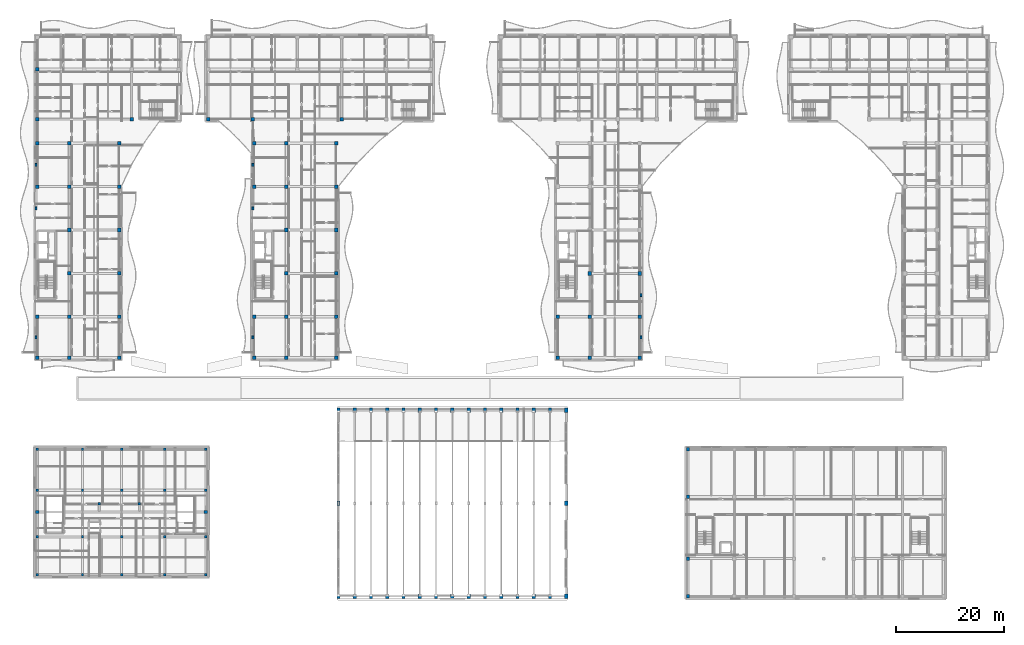
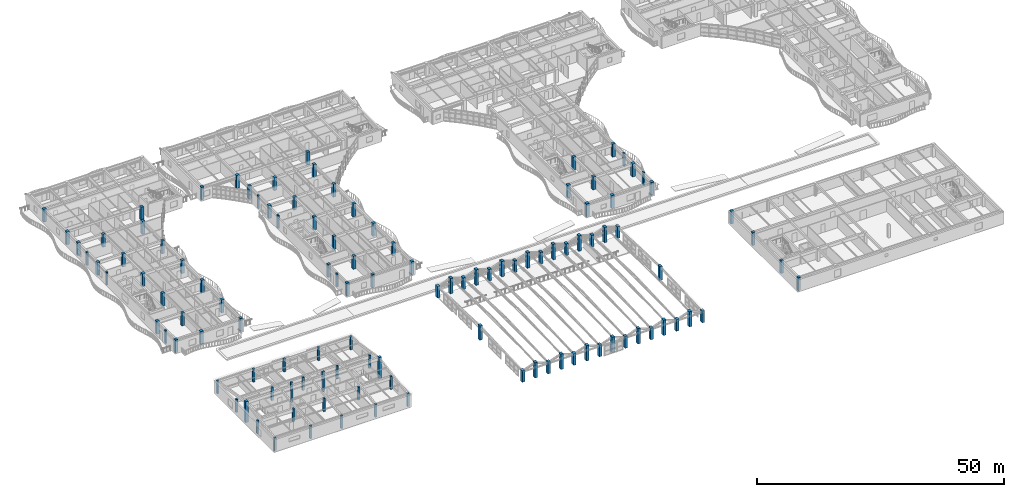
# One storey, part 1 of 128: 114 columns.
"""IFC4 building model written with IfcOpenShell, lengths in metres."""

from ifc_helpers import new_model, si_unit, direction, frame, origin, origin_2d, place, context, subcontext, project, spatial, rectangle, extrude, material, material_profile, profile_set, type_object, element, save


model = new_model("IFC4")

# Units and contexts
model_context = context("Model", 3, precision=1e-05, world=origin(), true_north=direction((0.0, 1.0)))
body_context = subcontext(model_context, "Body", "Model", "MODEL_VIEW")
ifc_project = project(units=[si_unit("LENGTHUNIT", "METRE"), si_unit("AREAUNIT", "SQUARE_METRE"), si_unit("VOLUMEUNIT", "CUBIC_METRE"), si_unit("PLANEANGLEUNIT", "RADIAN"), si_unit("MASSUNIT", "GRAM", prefix="KILO")], contexts=[model_context])

# Site, building, storey
site_placement = place(None, origin())
site = spatial("IfcSite", under=ifc_project, at=site_placement, CompositionType="ELEMENT")
building_placement = place(site_placement, origin())
building = spatial("IfcBuilding", under=site, at=building_placement, Name="Keldmere Railside Commons", CompositionType="ELEMENT")
storey_placement = place(building_placement, frame((0.0, 0.0, 4.159912109375)))
storey = spatial("IfcBuildingStorey", under=building, at=storey_placement, Name="L01", CompositionType="ELEMENT", Elevation=4.159912109375)

# Columns
ifc_material_1 = material(Name="Concrete H-40 (C40/50)", Category="concrete")
ifc_material_profile_1 = material_profile(ifc_material_1, rectangle(XDim=0.60009765625, YDim=0.800048828125, at=origin_2d()), Name="RC-600x800")
ifc_profile_set_1 = profile_set([ifc_material_profile_1], Name="Concrete H-40 (C40/50)")
column_type_1 = type_object("IfcColumnType", Name="Community Hall Pier Column 600x800", PredefinedType="COLUMN", material=ifc_profile_set_1)
column_1_placement = place(storey_placement, frame((64.0, 12.449951171875, 0.0), z_axis=(0.0, 0.0, 1.0), x_axis=(1.0, 0.0, 0.0)))
element("IfcColumn", 1, at=column_1_placement, inside=storey, type_object=column_type_1, Name="C-HALL COL-L01-0626", PredefinedType="COLUMN", context=body_context, shape_type="SweptSolid", body=[
    extrude(rectangle(XDim=0.60009765625, YDim=0.800048828125, at=origin_2d()), origin(), (0.0, 0.0, 1.0), 2.89013671875),
])
column_2_placement = place(storey_placement, frame((64.0, 29.60009765625, 0.0), z_axis=(0.0, 0.0, 1.0), x_axis=(1.0, 0.0, 0.0)))
element("IfcColumn", 2, at=column_2_placement, inside=storey, type_object=column_type_1, Name="C-HALL COL-L01-0629", PredefinedType="COLUMN", context=body_context, shape_type="SweptSolid", body=[
    extrude(rectangle(XDim=0.60009765625, YDim=0.800048828125, at=origin_2d()), origin(), (0.0, 0.0, 1.0), 3.489990234375),
])
column_3_placement = place(storey_placement, frame((64.0, 46.75, 0.0), z_axis=(0.0, 0.0, 1.0), x_axis=(1.0, 0.0, 0.0)))
element("IfcColumn", 3, at=column_3_placement, inside=storey, type_object=column_type_1, Name="C-HALL COL-L01-0632", PredefinedType="COLUMN", context=body_context, shape_type="SweptSolid", body=[
    extrude(rectangle(XDim=0.60009765625, YDim=0.800048828125, at=origin_2d()), origin(), (0.0, 0.0, 1.0), 2.89013671875),
])
for number, where, z_axis, x_axis, name in (
    (4, (67.0, 12.449951171875, 0.0), (0.0, 0.0, 1.0), (1.0, 0.0, 0.0), "C-HALL COL-L01-0672"),
    (5, (67.0, 46.75, 0.0), (0.0, 0.0, 1.0), (1.0, 0.0, 0.0), "C-HALL COL-L01-0675"),
):
    element("IfcColumn", number, at=place(storey_placement, frame(where, z_axis=z_axis, x_axis=x_axis)), inside=storey, type_object=column_type_1, Name=name, PredefinedType="COLUMN", context=body_context, shape_type="SweptSolid", body=[
        extrude(rectangle(XDim=0.60009765625, YDim=0.800048828125, at=origin_2d()), origin(), (0.0, 0.0, 1.0), 3.800048828125),
    ])
for number, where, z_axis, x_axis, name in (
    (6, (70.0, 12.449951171875, 0.0), (0.0, 0.0, 1.0), (1.0, 0.0, 0.0), "C-HALL COL-L01-0680"),
    (7, (70.0, 46.75, 0.0), (0.0, 0.0, 1.0), (1.0, 0.0, 0.0), "C-HALL COL-L01-0683"),
):
    element("IfcColumn", number, at=place(storey_placement, frame(where, z_axis=z_axis, x_axis=x_axis)), inside=storey, type_object=column_type_1, Name=name, PredefinedType="COLUMN", context=body_context, shape_type="SweptSolid", body=[
        extrude(rectangle(XDim=0.60009765625, YDim=0.800048828125, at=origin_2d()), origin(), (0.0, 0.0, 1.0), 2.89013671875),
    ])
for number, where, z_axis, x_axis, name in (
    (8, (73.0, 12.449951171875, 0.0), (0.0, 0.0, 1.0), (1.0, 0.0, 0.0), "C-HALL COL-L01-0721"),
    (9, (73.0, 46.75, 0.0), (0.0, 0.0, 1.0), (1.0, 0.0, 0.0), "C-HALL COL-L01-0724"),
):
    element("IfcColumn", number, at=place(storey_placement, frame(where, z_axis=z_axis, x_axis=x_axis)), inside=storey, type_object=column_type_1, Name=name, PredefinedType="COLUMN", context=body_context, shape_type="SweptSolid", body=[
        extrude(rectangle(XDim=0.60009765625, YDim=0.800048828125, at=origin_2d()), origin(), (0.0, 0.0, 1.0), 3.800048828125),
    ])
for number, where, z_axis, x_axis, name in (
    (10, (76.0, 12.449951171875, 0.0), (0.0, 0.0, 1.0), (1.0, 0.0, 0.0), "C-HALL COL-L01-0731"),
    (11, (76.0, 46.75, 0.0), (0.0, 0.0, 1.0), (1.0, 0.0, 0.0), "C-HALL COL-L01-0736"),
):
    element("IfcColumn", number, at=place(storey_placement, frame(where, z_axis=z_axis, x_axis=x_axis)), inside=storey, type_object=column_type_1, Name=name, PredefinedType="COLUMN", context=body_context, shape_type="SweptSolid", body=[
        extrude(rectangle(XDim=0.60009765625, YDim=0.800048828125, at=origin_2d()), origin(), (0.0, 0.0, 1.0), 2.89013671875),
    ])
for number, where, z_axis, x_axis, name in (
    (12, (79.0, 12.449951171875, 0.0), (0.0, 0.0, 1.0), (1.0, 0.0, 0.0), "C-HALL COL-L01-0745"),
    (13, (79.0, 46.75, 0.0), (0.0, 0.0, 1.0), (1.0, 0.0, 0.0), "C-HALL COL-L01-0748"),
):
    element("IfcColumn", number, at=place(storey_placement, frame(where, z_axis=z_axis, x_axis=x_axis)), inside=storey, type_object=column_type_1, Name=name, PredefinedType="COLUMN", context=body_context, shape_type="SweptSolid", body=[
        extrude(rectangle(XDim=0.60009765625, YDim=0.800048828125, at=origin_2d()), origin(), (0.0, 0.0, 1.0), 3.800048828125),
    ])
for number, where, z_axis, x_axis, name in (
    (14, (82.0, 12.449951171875, 0.0), (0.0, 0.0, 1.0), (1.0, 0.0, 0.0), "C-HALL COL-L01-0770"),
    (15, (82.0, 46.75, 0.0), (0.0, 0.0, 1.0), (1.0, 0.0, 0.0), "C-HALL COL-L01-0773"),
):
    element("IfcColumn", number, at=place(storey_placement, frame(where, z_axis=z_axis, x_axis=x_axis)), inside=storey, type_object=column_type_1, Name=name, PredefinedType="COLUMN", context=body_context, shape_type="SweptSolid", body=[
        extrude(rectangle(XDim=0.60009765625, YDim=0.800048828125, at=origin_2d()), origin(), (0.0, 0.0, 1.0), 2.89013671875),
    ])
for number, where, z_axis, x_axis, name in (
    (16, (85.0, 12.449951171875, 0.0), (0.0, 0.0, 1.0), (1.0, 0.0, 0.0), "C-HALL COL-L01-0780"),
    (17, (85.0, 46.75, 0.0), (0.0, 0.0, 1.0), (1.0, 0.0, 0.0), "C-HALL COL-L01-0786"),
):
    element("IfcColumn", number, at=place(storey_placement, frame(where, z_axis=z_axis, x_axis=x_axis)), inside=storey, type_object=column_type_1, Name=name, PredefinedType="COLUMN", context=body_context, shape_type="SweptSolid", body=[
        extrude(rectangle(XDim=0.60009765625, YDim=0.800048828125, at=origin_2d()), origin(), (0.0, 0.0, 1.0), 3.800048828125),
    ])
for number, where, z_axis, x_axis, name in (
    (18, (88.0, 12.449951171875, 0.0), (0.0, 0.0, 1.0), (1.0, 0.0, 0.0), "C-HALL COL-L01-0789"),
    (19, (88.0, 46.75, 0.0), (0.0, 0.0, 1.0), (1.0, 0.0, 0.0), "C-HALL COL-L01-0792"),
):
    element("IfcColumn", number, at=place(storey_placement, frame(where, z_axis=z_axis, x_axis=x_axis)), inside=storey, type_object=column_type_1, Name=name, PredefinedType="COLUMN", context=body_context, shape_type="SweptSolid", body=[
        extrude(rectangle(XDim=0.60009765625, YDim=0.800048828125, at=origin_2d()), origin(), (0.0, 0.0, 1.0), 2.89013671875),
    ])
for number, where, z_axis, x_axis, name in (
    (20, (91.0, 12.449951171875, 0.0), (0.0, 0.0, 1.0), (1.0, 0.0, 0.0), "C-HALL COL-L01-0803"),
    (21, (91.0, 46.75, 0.0), (0.0, 0.0, 1.0), (1.0, 0.0, 0.0), "C-HALL COL-L01-0806"),
):
    element("IfcColumn", number, at=place(storey_placement, frame(where, z_axis=z_axis, x_axis=x_axis)), inside=storey, type_object=column_type_1, Name=name, PredefinedType="COLUMN", context=body_context, shape_type="SweptSolid", body=[
        extrude(rectangle(XDim=0.60009765625, YDim=0.800048828125, at=origin_2d()), origin(), (0.0, 0.0, 1.0), 3.800048828125),
    ])
for number, where, z_axis, x_axis, name in (
    (22, (94.0, 12.449951171875, 0.0), (0.0, 0.0, 1.0), (1.0, 0.0, 0.0), "C-HALL COL-L01-0847"),
    (23, (94.0, 46.75, 0.0), (0.0, 0.0, 1.0), (1.0, 0.0, 0.0), "C-HALL COL-L01-0852"),
):
    element("IfcColumn", number, at=place(storey_placement, frame(where, z_axis=z_axis, x_axis=x_axis)), inside=storey, type_object=column_type_1, Name=name, PredefinedType="COLUMN", context=body_context, shape_type="SweptSolid", body=[
        extrude(rectangle(XDim=0.60009765625, YDim=0.800048828125, at=origin_2d()), origin(), (0.0, 0.0, 1.0), 2.89013671875),
    ])
for number, where, z_axis, x_axis, name in (
    (24, (97.0, 12.449951171875, 0.0), (0.0, 0.0, 1.0), (1.0, 0.0, 0.0), "C-HALL COL-L01-0862"),
    (25, (97.0, 46.75, 0.0), (0.0, 0.0, 1.0), (1.0, 0.0, 0.0), "C-HALL COL-L01-0865"),
):
    element("IfcColumn", number, at=place(storey_placement, frame(where, z_axis=z_axis, x_axis=x_axis)), inside=storey, type_object=column_type_1, Name=name, PredefinedType="COLUMN", context=body_context, shape_type="SweptSolid", body=[
        extrude(rectangle(XDim=0.60009765625, YDim=0.800048828125, at=origin_2d()), origin(), (0.0, 0.0, 1.0), 3.800048828125),
    ])
for number, where, z_axis, x_axis, name in (
    (26, (100.0, 12.449951171875, 0.0), (0.0, 0.0, 1.0), (1.0, 0.0, 0.0), "C-HALL COL-L01-0868"),
    (27, (100.0, 46.75, 0.0), (0.0, 0.0, 1.0), (1.0, 0.0, 0.0), "C-HALL COL-L01-0871"),
):
    element("IfcColumn", number, at=place(storey_placement, frame(where, z_axis=z_axis, x_axis=x_axis)), inside=storey, type_object=column_type_1, Name=name, PredefinedType="COLUMN", context=body_context, shape_type="SweptSolid", body=[
        extrude(rectangle(XDim=0.60009765625, YDim=0.800048828125, at=origin_2d()), origin(), (0.0, 0.0, 1.0), 2.89013671875),
    ])
for number, where, z_axis, x_axis, name in (
    (28, (103.0, 12.449951171875, 0.0), (0.0, 0.0, 1.0), (1.0, 0.0, 0.0), "C-HALL COL-L01-0916"),
    (29, (103.0, 46.75, 0.0), (0.0, 0.0, 1.0), (1.0, 0.0, 0.0), "C-HALL COL-L01-0919"),
):
    element("IfcColumn", number, at=place(storey_placement, frame(where, z_axis=z_axis, x_axis=x_axis)), inside=storey, type_object=column_type_1, Name=name, PredefinedType="COLUMN", context=body_context, shape_type="SweptSolid", body=[
        extrude(rectangle(XDim=0.60009765625, YDim=0.800048828125, at=origin_2d()), origin(), (0.0, 0.0, 1.0), 3.800048828125),
    ])
column_4_placement = place(storey_placement, frame((106.0, 12.449951171875, 0.0), z_axis=(0.0, 0.0, 1.0), x_axis=(1.0, 0.0, 0.0)))
element("IfcColumn", 30, at=column_4_placement, inside=storey, type_object=column_type_1, Name="C-HALL COL-L01-0971", PredefinedType="COLUMN", context=body_context, shape_type="SweptSolid", body=[
    extrude(rectangle(XDim=0.60009765625, YDim=0.800048828125, at=origin_2d()), origin(), (0.0, 0.0, 1.0), 2.89013671875),
])
column_5_placement = place(storey_placement, frame((106.0, 29.60009765625, 0.0), z_axis=(0.0, 0.0, 1.0), x_axis=(1.0, 0.0, 0.0)))
element("IfcColumn", 31, at=column_5_placement, inside=storey, type_object=column_type_1, Name="C-HALL COL-L01-0974", PredefinedType="COLUMN", context=body_context, shape_type="SweptSolid", body=[
    extrude(rectangle(XDim=0.60009765625, YDim=0.800048828125, at=origin_2d()), origin(), (0.0, 0.0, 1.0), 3.489990234375),
])
column_6_placement = place(storey_placement, frame((106.0, 46.75, 0.0), z_axis=(0.0, 0.0, 1.0), x_axis=(1.0, 0.0, 0.0)))
element("IfcColumn", 32, at=column_6_placement, inside=storey, type_object=column_type_1, Name="C-HALL COL-L01-0977", PredefinedType="COLUMN", context=body_context, shape_type="SweptSolid", body=[
    extrude(rectangle(XDim=0.60009765625, YDim=0.800048828125, at=origin_2d()), origin(), (0.0, 0.0, 1.0), 2.89013671875),
])
ifc_material_2 = material(Name="Architectural Precast Concrete H-35 (C35/45)", Category="concrete")
ifc_material_profile_2 = material_profile(ifc_material_2, rectangle(XDim=0.35009765625, YDim=0.550048828125, at=origin_2d()), Name="RC-350x550")
ifc_profile_set_2 = profile_set([ifc_material_profile_2], Name="Architectural Precast Concrete H-35 (C35/45)")
column_type_2 = type_object("IfcColumnType", Name="Facade Precast Pilaster Column 350x550", PredefinedType="PILASTER", material=ifc_profile_set_2)
for number, where, z_axis, x_axis, name in (
    (33, (8.219970703125, 60.199951171875, 0.0), (0.0, 0.0, 1.0), (1.0, 0.0, 0.0), "C-PIL COL-L01-0011"),
    (34, (8.219970703125, 84.0, 0.0), (0.0, 0.0, 1.0), (1.0, 0.0, 0.0), "C-PIL COL-L01-0016"),
    (35, (8.219970703125, 92.0, 0.0), (0.0, 0.0, 1.0), (1.0, 0.0, 0.0), "C-PIL COL-L01-0021"),
    (36, (48.219970703125, 60.199951171875, 0.0), (0.0, 0.0, 1.0), (1.0, 0.0, 0.0), "C-PIL COL-L01-0418"),
    (37, (48.219970703125, 84.0, 0.0), (0.0, 0.0, 1.0), (1.0, 0.0, 0.0), "C-PIL COL-L01-0423"),
    (38, (48.219970703125, 92.0, 0.0), (0.0, 0.0, 1.0), (1.0, 0.0, 0.0), "C-PIL COL-L01-0428"),
    (39, (119.780029296875, 60.199951171875, 0.0), (0.0, 0.0, 1.0), (1.0, 0.0, 0.0), "C-PIL COL-L01-1206"),
    (40, (119.780029296875, 68.0, 0.0), (0.0, 0.0, 1.0), (1.0, 0.0, 0.0), "C-PIL COL-L01-1211"),
):
    element("IfcColumn", number, at=place(storey_placement, frame(where, z_axis=z_axis, x_axis=x_axis)), inside=storey, type_object=column_type_2, Name=name, PredefinedType="PILASTER", context=body_context, shape_type="SweptSolid", body=[
        extrude(rectangle(XDim=0.35009765625, YDim=0.550048828125, at=origin_2d()), origin(), (0.0, 0.0, 1.0), 3.2001953125),
    ])
ifc_material_profile_3 = material_profile(ifc_material_1, rectangle(XDim=0.699951171875, YDim=0.699951171875, at=origin_2d()), Name="RC-700x700")
ifc_profile_set_3 = profile_set([ifc_material_profile_3], Name="Concrete H-40 (C40/50)")
column_type_3 = type_object("IfcColumnType", Name="Lower Residential RC Column 700x700", PredefinedType="COLUMN", material=ifc_profile_set_3)
for number, where, z_axis, x_axis, name in (
    (41, (104.449951171875, 56.449951171875, 0.0), (0.0, 0.0, 1.0), (1.0, 0.0, 0.0), "C-700 COL-L01-0922"),
    (42, (104.449951171875, 64.0, 0.0), (0.0, 0.0, 1.0), (1.0, 0.0, 0.0), "C-700 COL-L01-0931"),
    (43, (110.35009765625, 56.449951171875, 0.0), (0.0, 0.0, 1.0), (1.0, 0.0, 0.0), "C-700 COL-L01-1016"),
    (44, (110.35009765625, 64.0, 0.0), (0.0, 0.0, 1.0), (1.0, 0.0, 0.0), "C-700 COL-L01-1025"),
    (45, (110.35009765625, 72.0, 0.0), (0.0, 0.0, 1.0), (1.0, 0.0, 0.0), "C-700 COL-L01-1037"),
    (46, (119.550048828125, 56.449951171875, 0.0), (0.0, 0.0, 1.0), (1.0, 0.0, 0.0), "C-700 COL-L01-1133"),
    (47, (119.550048828125, 64.0, 0.0), (0.0, 0.0, 1.0), (1.0, 0.0, 0.0), "C-700 COL-L01-1142"),
    (48, (119.550048828125, 72.0, 0.0), (0.0, 0.0, 1.0), (1.0, 0.0, 0.0), "C-700 COL-L01-1154"),
):
    element("IfcColumn", number, at=place(storey_placement, frame(where, z_axis=z_axis, x_axis=x_axis)), inside=storey, type_object=column_type_3, Name=name, PredefinedType="COLUMN", context=body_context, shape_type="SweptSolid", body=[
        extrude(rectangle(XDim=0.699951171875, YDim=0.699951171875, at=origin_2d()), origin(), (0.0, 0.0, 1.0), 3.2001953125),
    ])
ifc_material_3 = material(Name="Concrete H-35 (C35/45)", Category="concrete")
ifc_material_profile_4 = material_profile(ifc_material_3, rectangle(XDim=0.60009765625, YDim=0.60009765625, at=origin_2d()), Name="RC-600x600")
ifc_profile_set_4 = profile_set([ifc_material_profile_4], Name="Concrete H-35 (C35/45)")
column_type_4 = type_object("IfcColumnType", Name="Mid-Rise RC Column 600x600", PredefinedType="COLUMN", material=ifc_profile_set_4)
for number, where, z_axis, x_axis, name in (
    (49, (8.449951171875, 28.0, 0.0), (0.0, 0.0, 1.0), (1.0, 0.0, 0.0), "C-600 COL-L01-0032"),
    (50, (39.550048828125, 28.0, 0.0), (0.0, 0.0, 1.0), (1.0, 0.0, 0.0), "C-600 COL-L01-0328"),
):
    element("IfcColumn", number, at=place(storey_placement, frame(where, z_axis=z_axis, x_axis=x_axis)), inside=storey, type_object=column_type_4, Name=name, PredefinedType="COLUMN", context=body_context, shape_type="SweptSolid", body=[
        extrude(rectangle(XDim=0.60009765625, YDim=0.60009765625, at=origin_2d()), origin(), (0.0, 0.0, 1.0), 5.190185546875),
    ])
for number, where, z_axis, x_axis, name in (
    (51, (128.449951171875, 12.449951171875, 0.0), (0.0, 0.0, 1.0), (1.0, 0.0, 0.0), "C-600 COL-L01-1278"),
    (52, (128.449951171875, 19.39990234375, 0.0), (0.0, 0.0, 1.0), (1.0, 0.0, 0.0), "C-600 COL-L01-1282"),
    (53, (128.449951171875, 30.800048828125, 0.0), (0.0, 0.0, 1.0), (1.0, 0.0, 0.0), "C-600 COL-L01-1286"),
    (54, (128.449951171875, 39.550048828125, 0.0), (0.0, 0.0, 1.0), (1.0, 0.0, 0.0), "C-600 COL-L01-1290"),
):
    element("IfcColumn", number, at=place(storey_placement, frame(where, z_axis=z_axis, x_axis=x_axis)), inside=storey, type_object=column_type_4, Name=name, PredefinedType="COLUMN", context=body_context, shape_type="SweptSolid", body=[
        extrude(rectangle(XDim=0.60009765625, YDim=0.60009765625, at=origin_2d()), origin(), (0.0, 0.0, 1.0), 3.2001953125),
    ])
ifc_material_profile_5 = material_profile(ifc_material_1, rectangle(XDim=0.64990234375, YDim=0.64990234375, at=origin_2d()), Name="RC-650x650")
ifc_profile_set_5 = profile_set([ifc_material_profile_5], Name="Concrete H-40 (C40/50)")
column_type_5 = type_object("IfcColumnType", Name="Podium RC Column 650x650", PredefinedType="COLUMN", material=ifc_profile_set_5)
for number, where, z_axis, x_axis, name in (
    (55, (8.449951171875, 56.449951171875, 0.0), (0.0, 0.0, 1.0), (1.0, 0.0, 0.0), "C-650 COL-L01-0041"),
    (56, (8.449951171875, 64.0, 0.0), (0.0, 0.0, 1.0), (1.0, 0.0, 0.0), "C-650 COL-L01-0047"),
    (57, (8.449951171875, 88.0, 0.0), (0.0, 0.0, 1.0), (1.0, 0.0, 0.0), "C-650 COL-L01-0055"),
    (58, (8.449951171875, 96.0, 0.0), (0.0, 0.0, 1.0), (1.0, 0.0, 0.0), "C-650 COL-L01-0064"),
    (59, (8.449951171875, 100.449951171875, 0.0), (0.0, 0.0, 1.0), (1.0, 0.0, 0.0), "C-650 COL-L01-0073"),
    (60, (8.449951171875, 109.64990234375, 0.0), (0.0, 0.0, 1.0), (1.0, 0.0, 0.0), "C-650 COL-L01-0083"),
    (61, (14.35009765625, 56.449951171875, 0.0), (0.0, 0.0, 1.0), (1.0, 0.0, 0.0), "C-650 COL-L01-0099"),
    (62, (14.35009765625, 64.0, 0.0), (0.0, 0.0, 1.0), (1.0, 0.0, 0.0), "C-650 COL-L01-0105"),
    (63, (14.35009765625, 72.0, 0.0), (0.0, 0.0, 1.0), (1.0, 0.0, 0.0), "C-650 COL-L01-0113"),
    (64, (14.35009765625, 80.0, 0.0), (0.0, 0.0, 1.0), (1.0, 0.0, 0.0), "C-650 COL-L01-0122"),
    (65, (14.35009765625, 88.0, 0.0), (0.0, 0.0, 1.0), (1.0, 0.0, 0.0), "C-650 COL-L01-0131"),
    (66, (14.35009765625, 96.0, 0.0), (0.0, 0.0, 1.0), (1.0, 0.0, 0.0), "C-650 COL-L01-0140"),
    (67, (23.550048828125, 56.449951171875, 0.0), (0.0, 0.0, 1.0), (1.0, 0.0, 0.0), "C-650 COL-L01-0186"),
    (68, (23.550048828125, 64.0, 0.0), (0.0, 0.0, 1.0), (1.0, 0.0, 0.0), "C-650 COL-L01-0192"),
    (69, (23.550048828125, 72.0, 0.0), (0.0, 0.0, 1.0), (1.0, 0.0, 0.0), "C-650 COL-L01-0200"),
    (70, (23.550048828125, 80.0, 0.0), (0.0, 0.0, 1.0), (1.0, 0.0, 0.0), "C-650 COL-L01-0209"),
    (71, (23.550048828125, 88.0, 0.0), (0.0, 0.0, 1.0), (1.0, 0.0, 0.0), "C-650 COL-L01-0218"),
    (72, (23.550048828125, 96.0, 0.0), (0.0, 0.0, 1.0), (1.0, 0.0, 0.0), "C-650 COL-L01-0227"),
    (73, (25.85009765625, 100.449951171875, 0.0), (0.0, 0.0, 1.0), (1.0, 0.0, 0.0), "C-650 COL-L01-0248"),
    (74, (39.949951171875, 100.449951171875, 0.0), (0.0, 0.0, 1.0), (1.0, 0.0, 0.0), "C-650 COL-L01-0337"),
    (75, (48.169921875, 100.449951171875, 0.0), (0.0, 0.0, 1.0), (1.0, 0.0, 0.0), "C-650 COL-L01-0387"),
    (76, (48.449951171875, 56.449951171875, 0.0), (0.0, 0.0, 1.0), (1.0, 0.0, 0.0), "C-650 COL-L01-0433"),
    (77, (48.449951171875, 64.0, 0.0), (0.0, 0.0, 1.0), (1.0, 0.0, 0.0), "C-650 COL-L01-0440"),
    (78, (48.449951171875, 88.0, 0.0), (0.0, 0.0, 1.0), (1.0, 0.0, 0.0), "C-650 COL-L01-0450"),
    (79, (48.449951171875, 96.0, 0.0), (0.0, 0.0, 1.0), (1.0, 0.0, 0.0), "C-650 COL-L01-0461"),
    (80, (54.35009765625, 56.449951171875, 0.0), (0.0, 0.0, 1.0), (1.0, 0.0, 0.0), "C-650 COL-L01-0479"),
    (81, (54.35009765625, 64.0, 0.0), (0.0, 0.0, 1.0), (1.0, 0.0, 0.0), "C-650 COL-L01-0486"),
    (82, (54.35009765625, 72.0, 0.0), (0.0, 0.0, 1.0), (1.0, 0.0, 0.0), "C-650 COL-L01-0496"),
    (83, (54.35009765625, 80.0, 0.0), (0.0, 0.0, 1.0), (1.0, 0.0, 0.0), "C-650 COL-L01-0507"),
    (84, (54.35009765625, 88.0, 0.0), (0.0, 0.0, 1.0), (1.0, 0.0, 0.0), "C-650 COL-L01-0518"),
    (85, (54.35009765625, 96.0, 0.0), (0.0, 0.0, 1.0), (1.0, 0.0, 0.0), "C-650 COL-L01-0529"),
    (86, (63.550048828125, 56.449951171875, 0.0), (0.0, 0.0, 1.0), (1.0, 0.0, 0.0), "C-650 COL-L01-0565"),
    (87, (63.550048828125, 64.0, 0.0), (0.0, 0.0, 1.0), (1.0, 0.0, 0.0), "C-650 COL-L01-0572"),
    (88, (63.550048828125, 72.0, 0.0), (0.0, 0.0, 1.0), (1.0, 0.0, 0.0), "C-650 COL-L01-0582"),
    (89, (63.550048828125, 80.0, 0.0), (0.0, 0.0, 1.0), (1.0, 0.0, 0.0), "C-650 COL-L01-0593"),
    (90, (63.550048828125, 88.0, 0.0), (0.0, 0.0, 1.0), (1.0, 0.0, 0.0), "C-650 COL-L01-0604"),
    (91, (63.550048828125, 96.0, 0.0), (0.0, 0.0, 1.0), (1.0, 0.0, 0.0), "C-650 COL-L01-0615"),
    (92, (64.610107421875, 100.449951171875, 0.0), (0.0, 0.0, 1.0), (1.0, 0.0, 0.0), "C-650 COL-L01-0641"),
):
    element("IfcColumn", number, at=place(storey_placement, frame(where, z_axis=z_axis, x_axis=x_axis)), inside=storey, type_object=column_type_5, Name=name, PredefinedType="COLUMN", context=body_context, shape_type="SweptSolid", body=[
        extrude(rectangle(XDim=0.64990234375, YDim=0.64990234375, at=origin_2d()), origin(), (0.0, 0.0, 1.0), 3.2001953125),
    ])
ifc_material_profile_6 = material_profile(ifc_material_3, rectangle(XDim=0.449951171875, YDim=0.449951171875, at=origin_2d()), Name="RC-450x450")
ifc_profile_set_6 = profile_set([ifc_material_profile_6], Name="Concrete H-35 (C35/45)")
column_type_6 = type_object("IfcColumnType", Name="Top-Tier & Nursery RC Column 450x450", PredefinedType="COLUMN", material=ifc_profile_set_6)
for number, where, z_axis, x_axis, name in (
    (93, (8.449951171875, 16.449951171875, 0.0), (0.0, 0.0, 1.0), (1.0, 0.0, 0.0), "C-450 COL-L01-0026"),
    (94, (8.449951171875, 23.39990234375, 0.0), (0.0, 0.0, 1.0), (1.0, 0.0, 0.0), "C-450 COL-L01-0029"),
    (95, (8.449951171875, 32.0, 0.0), (0.0, 0.0, 1.0), (1.0, 0.0, 0.0), "C-450 COL-L01-0035"),
    (96, (8.449951171875, 39.550048828125, 0.0), (0.0, 0.0, 1.0), (1.0, 0.0, 0.0), "C-450 COL-L01-0038"),
    (97, (16.800048828125, 16.449951171875, 0.0), (0.0, 0.0, 1.0), (1.0, 0.0, 0.0), "C-450 COL-L01-0155"),
    (98, (16.800048828125, 23.39990234375, 0.0), (0.0, 0.0, 1.0), (1.0, 0.0, 0.0), "C-450 COL-L01-0158"),
    (99, (16.800048828125, 32.0, 0.0), (0.0, 0.0, 1.0), (1.0, 0.0, 0.0), "C-450 COL-L01-0161"),
    (100, (16.800048828125, 39.550048828125, 0.0), (0.0, 0.0, 1.0), (1.0, 0.0, 0.0), "C-450 COL-L01-0164"),
):
    element("IfcColumn", number, at=place(storey_placement, frame(where, z_axis=z_axis, x_axis=x_axis)), inside=storey, type_object=column_type_6, Name=name, PredefinedType="COLUMN", context=body_context, shape_type="SweptSolid", body=[
        extrude(rectangle(XDim=0.449951171875, YDim=0.449951171875, at=origin_2d()), origin(), (0.0, 0.0, 1.0), 3.2001953125),
    ])
column_7_placement = place(storey_placement, frame((19.89990234375, 29.5, 0.0), z_axis=(0.0, 0.0, 1.0), x_axis=(1.0, 0.0, 0.0)))
element("IfcColumn", 101, at=column_7_placement, inside=storey, type_object=column_type_6, Name="C-450 COL-L01-0183", PredefinedType="COLUMN", context=body_context, shape_type="SweptSolid", body=[
    extrude(rectangle(XDim=0.449951171875, YDim=0.449951171875, at=origin_2d()), origin(), (0.0, 0.0, 1.0), 4.89013671875),
])
for number, where, z_axis, x_axis, name in (
    (102, (24.0, 16.449951171875, 0.0), (0.0, 0.0, 1.0), (1.0, 0.0, 0.0), "C-450 COL-L01-0236"),
    (103, (24.0, 23.39990234375, 0.0), (0.0, 0.0, 1.0), (1.0, 0.0, 0.0), "C-450 COL-L01-0239"),
    (104, (24.0, 32.0, 0.0), (0.0, 0.0, 1.0), (1.0, 0.0, 0.0), "C-450 COL-L01-0242"),
    (105, (24.0, 39.550048828125, 0.0), (0.0, 0.0, 1.0), (1.0, 0.0, 0.0), "C-450 COL-L01-0245"),
):
    element("IfcColumn", number, at=place(storey_placement, frame(where, z_axis=z_axis, x_axis=x_axis)), inside=storey, type_object=column_type_6, Name=name, PredefinedType="COLUMN", context=body_context, shape_type="SweptSolid", body=[
        extrude(rectangle(XDim=0.449951171875, YDim=0.449951171875, at=origin_2d()), origin(), (0.0, 0.0, 1.0), 3.2001953125),
    ])
column_8_placement = place(storey_placement, frame((27.300048828125, 29.5, 0.0), z_axis=(0.0, 0.0, 1.0), x_axis=(1.0, 0.0, 0.0)))
element("IfcColumn", 106, at=column_8_placement, inside=storey, type_object=column_type_6, Name="C-450 COL-L01-0276", PredefinedType="COLUMN", context=body_context, shape_type="SweptSolid", body=[
    extrude(rectangle(XDim=0.449951171875, YDim=0.449951171875, at=origin_2d()), origin(), (0.0, 0.0, 1.0), 4.89013671875),
])
for number, where, z_axis, x_axis, name in (
    (107, (32.0, 16.449951171875, 0.0), (0.0, 0.0, 1.0), (1.0, 0.0, 0.0), "C-450 COL-L01-0290"),
    (108, (32.0, 23.39990234375, 0.0), (0.0, 0.0, 1.0), (1.0, 0.0, 0.0), "C-450 COL-L01-0293"),
    (109, (32.0, 32.0, 0.0), (0.0, 0.0, 1.0), (1.0, 0.0, 0.0), "C-450 COL-L01-0296"),
    (110, (32.0, 39.550048828125, 0.0), (0.0, 0.0, 1.0), (1.0, 0.0, 0.0), "C-450 COL-L01-0299"),
    (111, (39.550048828125, 16.449951171875, 0.0), (0.0, 0.0, 1.0), (1.0, 0.0, 0.0), "C-450 COL-L01-0322"),
    (112, (39.550048828125, 23.39990234375, 0.0), (0.0, 0.0, 1.0), (1.0, 0.0, 0.0), "C-450 COL-L01-0325"),
    (113, (39.550048828125, 32.0, 0.0), (0.0, 0.0, 1.0), (1.0, 0.0, 0.0), "C-450 COL-L01-0331"),
    (114, (39.550048828125, 39.550048828125, 0.0), (0.0, 0.0, 1.0), (1.0, 0.0, 0.0), "C-450 COL-L01-0334"),
):
    element("IfcColumn", number, at=place(storey_placement, frame(where, z_axis=z_axis, x_axis=x_axis)), inside=storey, type_object=column_type_6, Name=name, PredefinedType="COLUMN", context=body_context, shape_type="SweptSolid", body=[
        extrude(rectangle(XDim=0.449951171875, YDim=0.449951171875, at=origin_2d()), origin(), (0.0, 0.0, 1.0), 3.2001953125),
    ])

save(model, "model.ifc")
